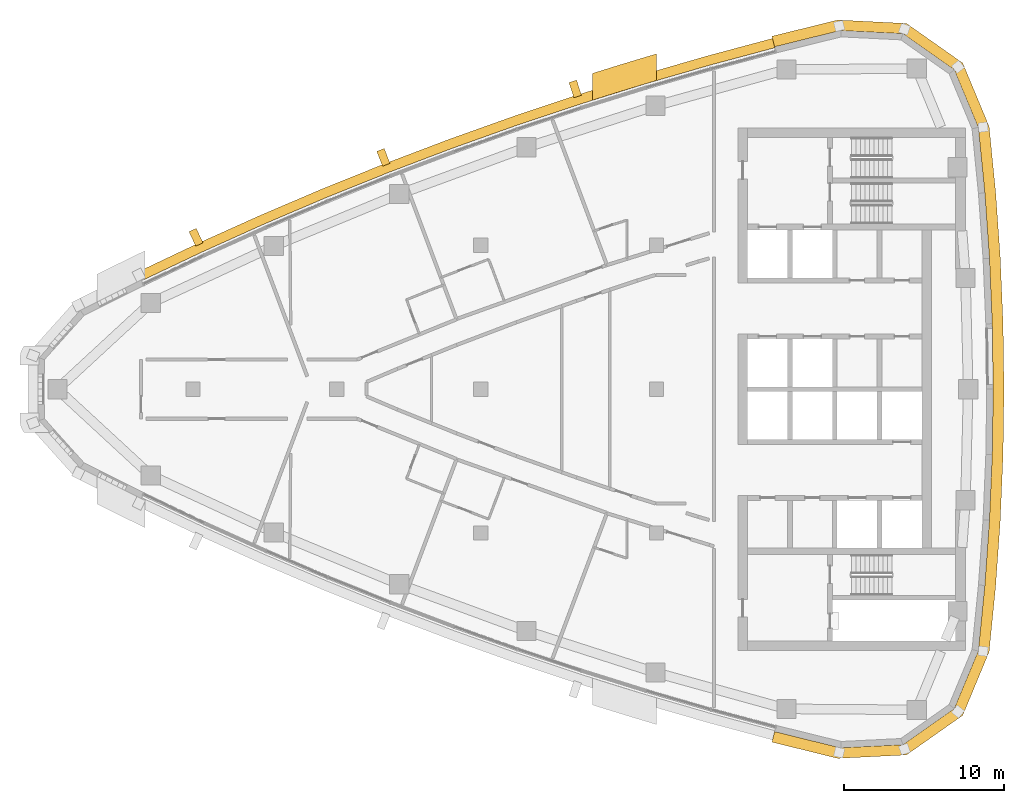
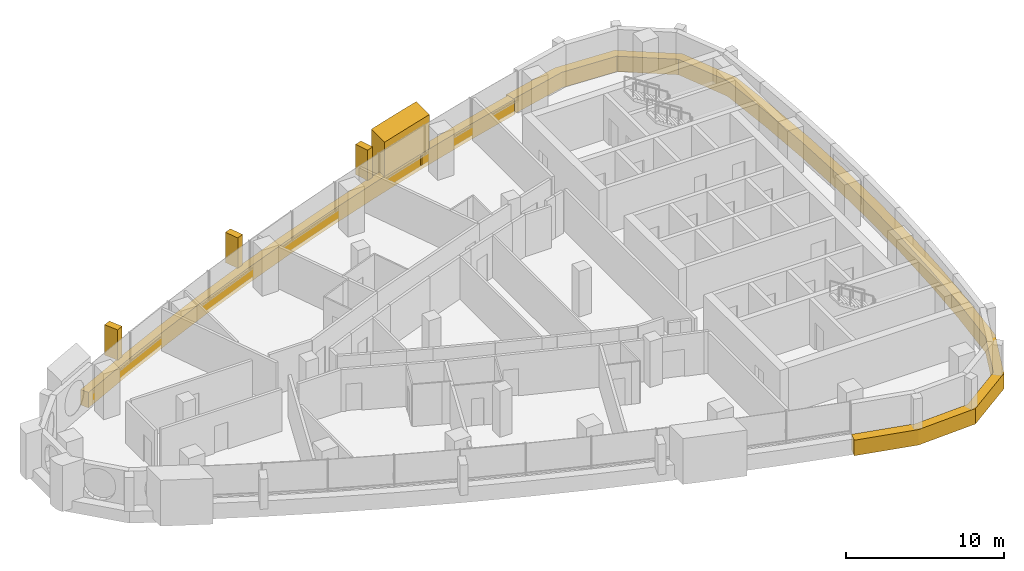
# One storey, part 14 of 15: 6 coverings.
"""IFC4 building model written with IfcOpenShell, lengths in metres."""

from ifc_helpers import new_model, si_unit, direction, frame, frame_2d, origin, place, context, subcontext, project, spatial, polyline, rectangle, outline, extrude, material, layer, layer_set, type_object, element, save


model = new_model("IFC4")

# Units and contexts
model_context = context("Model", 3, precision=1e-05, world=origin(), true_north=direction((0.0, 1.0)))
body_context = subcontext(model_context, "Body", "Model", "MODEL_VIEW")
ifc_project = project(units=[si_unit("LENGTHUNIT", "METRE"), si_unit("AREAUNIT", "SQUARE_METRE"), si_unit("VOLUMEUNIT", "CUBIC_METRE"), si_unit("PLANEANGLEUNIT", "RADIAN"), si_unit("MASSUNIT", "GRAM", prefix="KILO")], contexts=[model_context])

# Site, building, storey
site_placement = place(None, origin())
site = spatial("IfcSite", under=ifc_project, at=site_placement, CompositionType="ELEMENT")
building_placement = place(site_placement, origin())
building = spatial("IfcBuilding", under=site, at=building_placement, Name="Ostrand Prow Hotel Tower", CompositionType="ELEMENT")
storey_placement = place(building_placement, frame((0.0, 0.0, 235.0)))
storey = spatial("IfcBuildingStorey", under=building, at=storey_placement, Name="L59", CompositionType="ELEMENT", Elevation=235.0)

# Coverings
ifc_material_1 = material(Name="Bronze anodised aluminium cladding", Category="aluminium")
ifc_layer_1 = layer(ifc_material_1, 0.60009765625)
ifc_layer_set_1 = layer_set([ifc_layer_1], Name="Bronze anodised aluminium cladding")
covering_type_1 = type_object("IfcCoveringType", Name="Bronze spandrel band 1200x600", PredefinedType="CLADDING", material=ifc_layer_set_1)
covering_1_placement = place(storey_placement, frame((0.0, 0.0, -0.300048828125)))
element("IfcCovering", 1, at=covering_1_placement, inside=storey, type_object=covering_type_1, Name="Spandrel band N1", PredefinedType="CLADDING", context=body_context, shape_type="SweptSolid", body=[
    extrude(outline(polyline([(52.256591796875, 21.944580078125), (48.16064453125, 20.846435546875), (44.087890625, 19.665771484375), (40.039306640625, 18.403564453125), (36.017333984375, 17.059814453125), (32.02294921875, 15.635498046875), (28.058349609375, 14.131103515625), (24.12451171875, 12.547119140625), (20.2236328125, 10.88427734375), (16.35693359375, 9.14306640625), (12.526123046875, 7.324462890625), (12.788818359375, 6.784912109375), (16.60888671875, 8.598388671875), (20.464599609375, 10.334716796875), (24.354248046875, 11.992919921875), (28.27685546875, 13.572265625), (32.230224609375, 15.072509765625), (36.213134765625, 16.49267578125), (40.223876953125, 17.83251953125), (44.260498046875, 19.09130859375), (48.322021484375, 20.268310546875), (52.40625, 21.363525390625), (52.256591796875, 21.944580078125)])), origin(), (0.0, 0.0, 1.0), 1.199951171875),
])
covering_2_placement = place(storey_placement, frame((0.0, 0.0, -0.300048828125)))
element("IfcCovering", 2, at=covering_2_placement, inside=storey, type_object=covering_type_1, Name="Spandrel band back 1", PredefinedType="CLADDING", context=body_context, shape_type="SweptSolid", body=[
    extrude(outline(polyline([(52.22119140625, -22.081787109375), (56.34130859375, -23.09814453125), (60.638671875, -22.8837890625), (64.15771484375, -20.408447265625), (65.81201171875, -16.4365234375), (66.218505859375, -12.3388671875), (66.509033203125, -8.2314453125), (66.68359375, -4.117431640625), (66.74169921875, 0.0), (66.68359375, 4.117431640625), (66.509033203125, 8.2314453125), (66.218505859375, 12.3388671875), (65.81201171875, 16.4365234375), (64.15771484375, 20.408447265625), (60.638671875, 22.8837890625), (56.34130859375, 23.09814453125), (52.22119140625, 22.081787109375), (52.390869140625, 21.42333984375), (56.49755859375, 22.436279296875), (60.417236328125, 22.240966796875), (63.62744140625, 19.98291015625), (65.13623046875, 16.35986328125), (65.541015625, 12.281494140625), (65.830078125, 8.193115234375), (66.00390625, 4.09814453125), (66.061767578125, 0.0), (66.00390625, -4.09814453125), (65.830078125, -8.193115234375), (65.541015625, -12.281494140625), (65.13623046875, -16.35986328125), (63.62744140625, -19.98291015625), (60.417236328125, -22.240966796875), (56.49755859375, -22.436279296875), (52.390869140625, -21.42333984375), (52.22119140625, -22.081787109375)])), origin(), (0.0, 0.0, 1.0), 1.199951171875),
])
ifc_material_2 = material(Name="Limestone cladding", Category="masonry")
ifc_layer_2 = layer(ifc_material_2, 5.0)
ifc_layer_set_2 = layer_set([ifc_layer_2], Name="Limestone cladding")
covering_type_2 = type_object("IfcCoveringType", Name="Portal jamb pilaster limestone", PredefinedType="CLADDING", material=ifc_layer_set_2)
covering_3_placement = place(storey_placement, origin())
element("IfcCovering", 3, at=covering_3_placement, inside=storey, type_object=covering_type_2, Name="Portal jamb NB L59", PredefinedType="CLADDING", context=body_context, shape_type="SweptSolid", body=[
    extrude(outline(polyline([(41.0, 18.08154296875), (42.0, 18.3974609375), (43.0, 18.707763671875), (44.0, 19.0126953125), (45.0, 19.312255859375), (45.0, 20.980712890625), (44.0, 20.68359375), (43.0, 20.381103515625), (42.0, 20.0732421875), (41.0, 19.760009765625), (41.0, 18.08154296875)])), origin(), (0.0, 0.0, 1.0), 3.550048828125),
])
ifc_material_3 = material(Name="Limestone cladding", Category="masonry")
ifc_layer_3 = layer(ifc_material_3, 0.5)
ifc_layer_set_3 = layer_set([ifc_layer_3], Name="Limestone cladding")
covering_type_3 = type_object("IfcCoveringType", Name="Precast stone fin 500x900", PredefinedType="CLADDING", material=ifc_layer_set_3)
covering_4_placement = place(storey_placement, frame((40.070068359375, 18.308349609375, 0.89990234375), z_axis=(0.0, 0.0, 1.0), x_axis=(-0.307352263966, 0.951595810118, 0.0)))
element("IfcCovering", 4, at=covering_4_placement, inside=storey, type_object=covering_type_3, Name="Stone fin N 4", PredefinedType="CLADDING", context=body_context, shape_type="SweptSolid", body=[
    extrude(rectangle(XDim=1.0, YDim=0.5, at=frame_2d((0.5, 0.0))), origin(), (0.0, 0.0, 1.0), 2.35009765625),
])
covering_5_placement = place(storey_placement, frame((28.0947265625, 14.0380859375, 0.89990234375), z_axis=(0.0, 0.0, 1.0), x_axis=(-0.364307281276, 0.931278800795, 0.0)))
element("IfcCovering", 5, at=covering_5_placement, inside=storey, type_object=covering_type_3, Name="Stone fin N 7", PredefinedType="CLADDING", context=body_context, shape_type="SweptSolid", body=[
    extrude(rectangle(XDim=0.999755859375, YDim=0.5, at=frame_2d((0.5, 0.0))), origin(), (0.0, 0.0, 1.0), 2.35009765625),
])
covering_6_placement = place(storey_placement, frame((16.39892578125, 9.05224609375, 0.89990234375), z_axis=(0.0, 0.0, 1.0), x_axis=(-0.419661863421, 0.907680516696, 0.0)))
element("IfcCovering", 6, at=covering_6_placement, inside=storey, type_object=covering_type_3, Name="Stone fin N 10", PredefinedType="CLADDING", context=body_context, shape_type="SweptSolid", body=[
    extrude(rectangle(XDim=1.0, YDim=0.5, at=frame_2d((0.5, 0.0))), origin(), (0.0, 0.0, 1.0), 2.35009765625),
])

save(model, "model.ifc")
